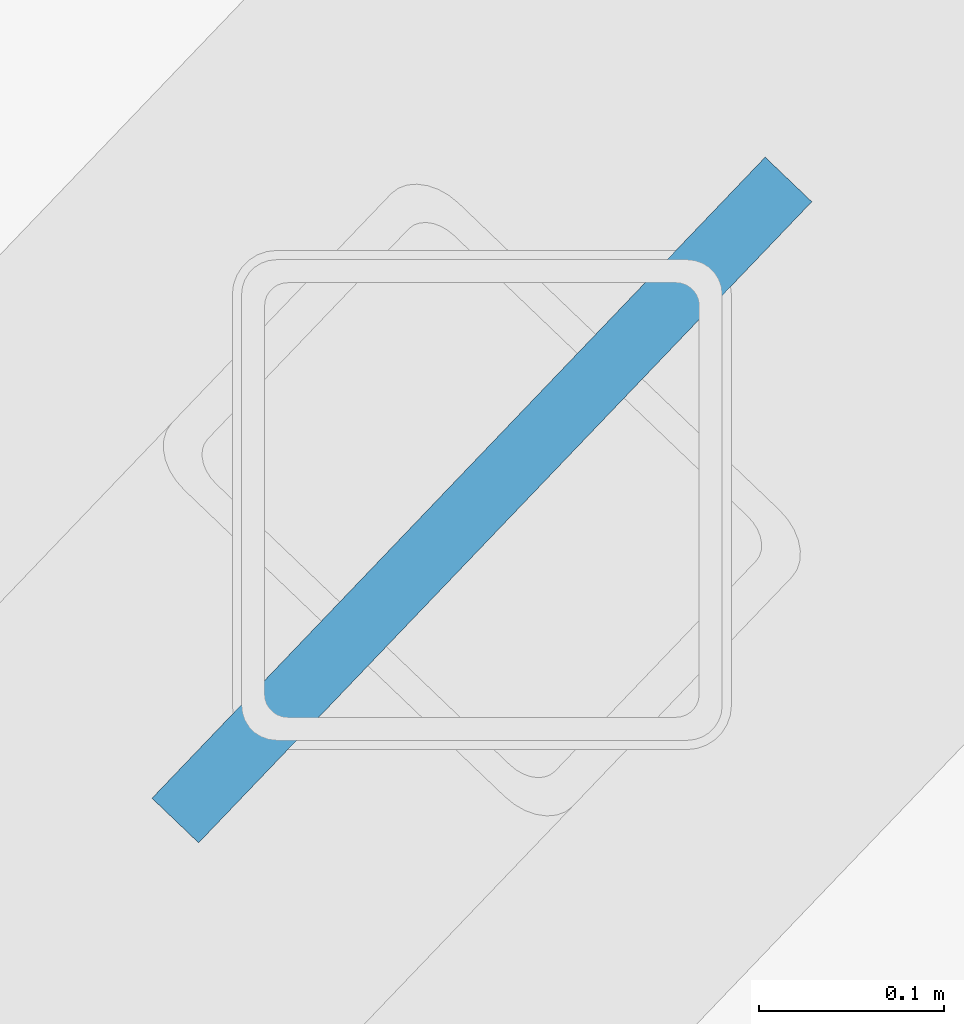
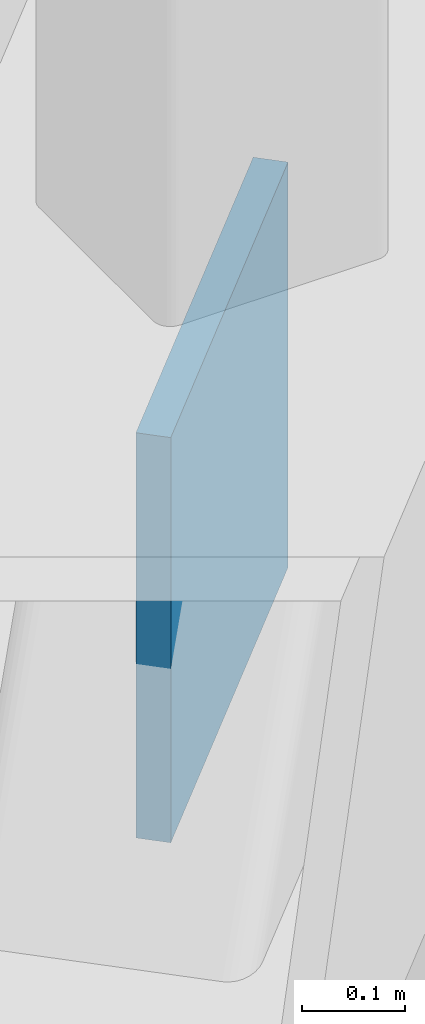
# One storey, part 25 of 31: 1 discrete accessory.
"""IFC4 building model written with IfcOpenShell, lengths in metres."""

from ifc_helpers import new_model, si_unit, direction, frame, origin, origin_2d, place, context, subcontext, project, spatial, rectangle, extrude, material, layer, layer_set, type_object, element, save


model = new_model("IFC4")

# Units and contexts
model_context = context("Model", 3, precision=1e-05, world=origin(), true_north=direction((0.0, 1.0)))
body_context = subcontext(model_context, "Body", "Model", "MODEL_VIEW")
ifc_project = project(units=[si_unit("LENGTHUNIT", "METRE"), si_unit("AREAUNIT", "SQUARE_METRE"), si_unit("VOLUMEUNIT", "CUBIC_METRE"), si_unit("PLANEANGLEUNIT", "RADIAN"), si_unit("MASSUNIT", "GRAM", prefix="KILO")], contexts=[model_context])

# Site, building, storey
site_placement = place(None, origin())
site = spatial("IfcSite", under=ifc_project, at=site_placement, CompositionType="ELEMENT")
building_placement = place(site_placement, origin())
building = spatial("IfcBuilding", under=site, at=building_placement, Name="Ayvan Gate Tower", CompositionType="ELEMENT")
storey_placement = place(building_placement, frame((0.0, 0.0, 135.89990234375)))
storey = spatial("IfcBuildingStorey", under=building, at=storey_placement, Name="L36", CompositionType="ELEMENT", Elevation=135.89990234375)

# Discrete accessory
ifc_material = material(Name="Steel S460ML", Category="steel")
ifc_layer = layer(ifc_material, 0.034912109375)
ifc_layer_set = layer_set([ifc_layer], Name="Steel S460ML")
discrete_accessory_type = type_object("IfcDiscreteAccessoryType", Name="Gusset plate 35 mm", PredefinedType="BRACKET", material=ifc_layer_set)
discrete_accessory_placement = place(storey_placement, frame((31.00439453125, 17.053955078125, 3.03515625), z_axis=(0.0, 0.0, 1.0), x_axis=(0.691214195812, 0.722649939811, 0.0)))
element("IfcDiscreteAccessory", 1, at=discrete_accessory_placement, inside=storey, type_object=discrete_accessory_type, Name="Gusset plate SBT3-1-D-8", PredefinedType="BRACKET", context=body_context, shape_type="SweptSolid", body=[
    extrude(rectangle(XDim=0.47998046875, YDim=0.034912109375, at=origin_2d()), origin(), (0.0, 0.0, 1.0), 0.47998046875),
])

save(model, "model.ifc")
